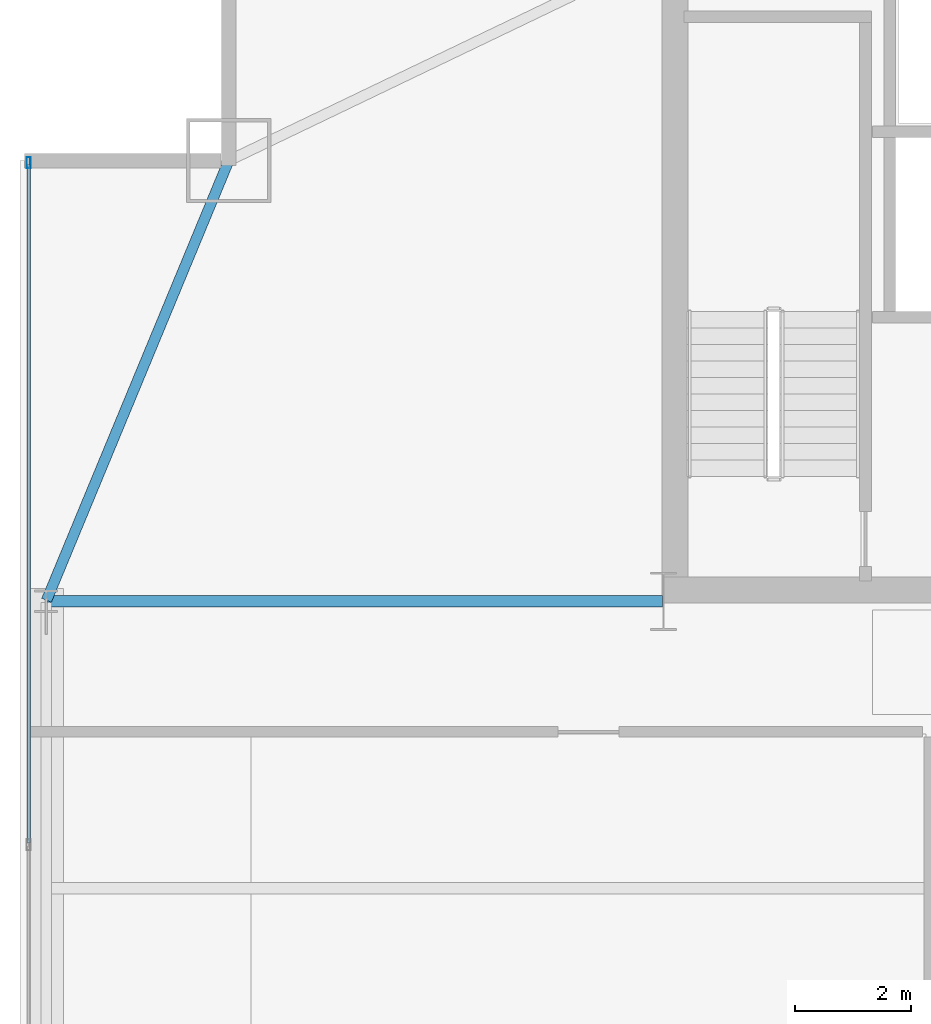
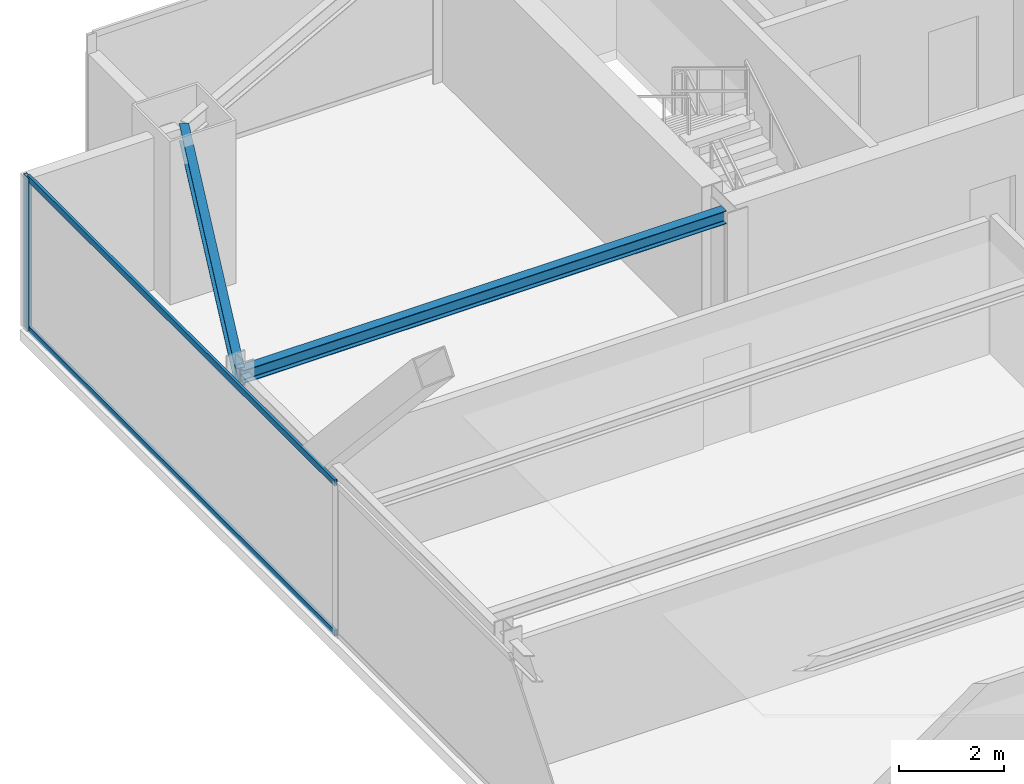
# One storey, part 23 of 38: 3 members, 2 beams, 1 element without a shape of its own.
"""IFC4 building model written with IfcOpenShell, lengths in metres."""

from ifc_helpers import new_model, si_unit, direction, frame, origin, origin_2d, place, context, subcontext, project, spatial, hollow_rectangle, i_section, extrude, source, transform, mapped, material, layer, layer_set, material_profile, profile_set, type_object, type_shapes, element, aggregate, save


model = new_model("IFC4")

# Units and contexts
model_context = context("Model", 3, precision=1e-05, world=origin(), true_north=direction((0.0, 1.0)))
body_context = subcontext(model_context, "Body", "Model", "MODEL_VIEW")
ifc_project = project(units=[si_unit("LENGTHUNIT", "METRE"), si_unit("AREAUNIT", "SQUARE_METRE"), si_unit("VOLUMEUNIT", "CUBIC_METRE"), si_unit("PLANEANGLEUNIT", "RADIAN"), si_unit("MASSUNIT", "GRAM", prefix="KILO")], contexts=[model_context])

# Site, building, storey
site_placement = place(None, origin())
site = spatial("IfcSite", under=ifc_project, at=site_placement, CompositionType="ELEMENT")
building_placement = place(site_placement, origin())
building = spatial("IfcBuilding", under=site, at=building_placement, Name="Varnel Quay Broadcast Tower", CompositionType="ELEMENT")
storey_placement = place(building_placement, frame((0.0, 0.0, 118.199951171875)))
storey = spatial("IfcBuildingStorey", under=building, at=storey_placement, Name="L28", CompositionType="ELEMENT", Elevation=118.199951171875)

# Beams
ifc_material_1 = material(Name="Structural Steel CSA G40.21 350W", Category="steel")
ifc_material_profile_1 = material_profile(ifc_material_1, i_section(OverallWidth=0.180908203125, OverallDepth=0.4169921875, WebThickness=0.010986328125, FlangeThickness=0.018310546875, FilletRadius=0.011962890625, at=origin_2d()), Name="W410X85")
ifc_profile_set_1 = profile_set([ifc_material_profile_1], Name="Structural Steel CSA G40.21 350W")
beam_type_1 = type_object("IfcBeamType", Name="Beam_W410X85", PredefinedType="SPANDREL", material=ifc_profile_set_1)
shared_shape_1 = source(origin(), body_context, "Body", "SweptSolid", [
    extrude(i_section(OverallWidth=0.180908203125, OverallDepth=0.4169921875, WebThickness=0.010986328125, FlangeThickness=0.018310546875, FilletRadius=0.011962890625, at=origin_2d()), origin(), (0.0, 0.0, 1.0), 8.186767578125),
])
type_shapes(beam_type_1, [shared_shape_1])
beam_1_placement = place(storey_placement, frame((4.957763671875, 35.618408203125, 3.341552734375), z_axis=(0.382874132092, 0.923800519038, 0.0), x_axis=(-0.923800519038, 0.382874132092, 0.0)))
element("IfcBeam", 1, at=beam_1_placement, inside=storey, type_object=beam_type_1, Name="L28 West Spandrel TC-W3-MC-NW", PredefinedType="SPANDREL", context=body_context, shape_type="MappedRepresentation", body=[
    mapped(shared_shape_1, transform((0.0, 0.0, 0.0), x_axis=(1.0, 0.0, 0.0), y_axis=(0.0, 1.0, 0.0), z_axis=(0.0, 0.0, 1.0), scale=1.0)),
])
ifc_material_profile_2 = material_profile(ifc_material_1, i_section(OverallWidth=0.202880859375, OverallDepth=0.302978515625, WebThickness=0.007568359375, FlangeThickness=0.01318359375, FilletRadius=0.011962890625, at=origin_2d()), Name="W310X60")
ifc_profile_set_2 = profile_set([ifc_material_profile_2], Name="Structural Steel CSA G40.21 350W")
beam_type_2 = type_object("IfcBeamType", Name="Beam_W310X60", PredefinedType="JOIST", material=ifc_profile_set_2)
shared_shape_2 = source(origin(), body_context, "Body", "SweptSolid", [
    extrude(i_section(OverallWidth=0.202880859375, OverallDepth=0.302978515625, WebThickness=0.007568359375, FlangeThickness=0.01318359375, FilletRadius=0.011962890625, at=origin_2d()), origin(), (0.0, 0.0, 1.0), 10.610107421875),
])
type_shapes(beam_type_2, [shared_shape_2])
beam_2_placement = place(storey_placement, frame((4.969970703125, 35.60009765625, 3.3984375), z_axis=(1.0, 0.0, 0.0), x_axis=(0.0, 1.0, 0.0)))
element("IfcBeam", 2, at=beam_2_placement, inside=storey, type_object=beam_type_2, Name="L28 West Core Tie Joist", PredefinedType="JOIST", context=body_context, shape_type="MappedRepresentation", body=[
    mapped(shared_shape_2, transform((0.0, 0.0, 0.0), x_axis=(1.0, 0.0, 0.0), y_axis=(0.0, 1.0, 0.0), z_axis=(0.0, 0.0, 1.0), scale=1.0)),
])

# Curtain wall, members
ifc_material_2 = material(Name="Anodised Bronze Aluminium 6063-T6", Category="aluminium")
ifc_layer = layer(ifc_material_2, 0.18994140625, Name="Anodised Bronze Aluminium 6063-T6")
ifc_layer_set = layer_set([ifc_layer], Name="Anodised Bronze Aluminium 6063-T6")
curtain_wall_type = type_object("IfcCurtainWallType", Name="CW_LowerTower", PredefinedType="NOTDEFINED", material=ifc_layer_set)
curtain_wall_placement = place(storey_placement, origin())
curtain_wall = element("IfcCurtainWall", 3, at=curtain_wall_placement, inside=storey, type_object=curtain_wall_type, Name="L28 West Unitised Curtain Wall", PredefinedType="NOTDEFINED")
ifc_material_profile_3 = material_profile(ifc_material_2, hollow_rectangle(XDim=0.070068359375, YDim=0.18994140625, WallThickness=0.00390625, at=origin_2d()), Name="ALU70X190X4")
ifc_profile_set_3 = profile_set([ifc_material_profile_3], Name="Anodised Bronze Aluminium 6063-T6")
member_type_1 = type_object("IfcMemberType", Name="Mull_CWS-02", PredefinedType="MULLION", material=ifc_profile_set_3)
shared_shape_3 = source(origin(), body_context, "Body", "SweptSolid", [
    extrude(hollow_rectangle(XDim=0.070068359375, YDim=0.18994140625, WallThickness=0.00390625, at=origin_2d()), origin(), (0.0, 0.0, 1.0), 3.550048828125),
])
type_shapes(member_type_1, [shared_shape_3])
member_1_placement = place(storey_placement, frame((4.64990234375, 43.1650390625, 0.0), z_axis=(0.0, 0.0, 1.0), x_axis=(-1.0, 0.0, 0.0)))
member_1 = element("IfcMember", 4, at=member_1_placement, type_object=member_type_1, Name="CWS-02 mullion 4", PredefinedType="MULLION", context=body_context, shape_type="MappedRepresentation", body=[
    mapped(shared_shape_3, transform((0.0, 0.0, 0.0), x_axis=(1.0, 0.0, 0.0), y_axis=(0.0, 1.0, 0.0), z_axis=(0.0, 0.0, 1.0), scale=1.0)),
])
ifc_material_profile_4 = material_profile(ifc_material_2, hollow_rectangle(XDim=0.06005859375, YDim=0.14501953125, WallThickness=0.00341796875, at=origin_2d()), Name="ALU60X145X3.5")
ifc_profile_set_4 = profile_set([ifc_material_profile_4], Name="Anodised Bronze Aluminium 6063-T6")
member_type_2 = type_object("IfcMemberType", Name="Tran_CWS-02", PredefinedType="USERDEFINED", material=ifc_profile_set_4)
shared_shape_4 = source(origin(), body_context, "Body", "SweptSolid", [
    extrude(hollow_rectangle(XDim=0.06005859375, YDim=0.14501953125, WallThickness=0.00341796875, at=origin_2d()), origin(), (0.0, 0.0, 1.0), 11.69482421875),
])
type_shapes(member_type_2, [shared_shape_4])
member_2_placement = place(storey_placement, frame((4.64990234375, 31.43505859375, 0.030029296875), z_axis=(0.0, 1.0, 0.0), x_axis=(-1.0, 0.0, 0.0)))
member_2 = element("IfcMember", 5, at=member_2_placement, type_object=member_type_2, Name="CWS-02 transom 3.1", ObjectType="TRANSOM", PredefinedType="USERDEFINED", context=body_context, shape_type="MappedRepresentation", body=[
    mapped(shared_shape_4, transform((0.0, 0.0, 0.0), x_axis=(1.0, 0.0, 0.0), y_axis=(0.0, 1.0, 0.0), z_axis=(0.0, 0.0, 1.0), scale=1.0)),
])
member_3_placement = place(storey_placement, frame((4.64990234375, 31.43505859375, 3.52001953125), z_axis=(0.0, 1.0, 0.0), x_axis=(-1.0, 0.0, 0.0)))
member_3 = element("IfcMember", 6, at=member_3_placement, type_object=member_type_2, Name="CWS-02 transom 3.2", ObjectType="TRANSOM", PredefinedType="USERDEFINED", context=body_context, shape_type="MappedRepresentation", body=[
    mapped(shared_shape_4, transform((0.0, 0.0, 0.0), x_axis=(1.0, 0.0, 0.0), y_axis=(0.0, 1.0, 0.0), z_axis=(0.0, 0.0, 1.0), scale=1.0)),
])
aggregate(curtain_wall, [member_1, member_2, member_3])

save(model, "model.ifc")
